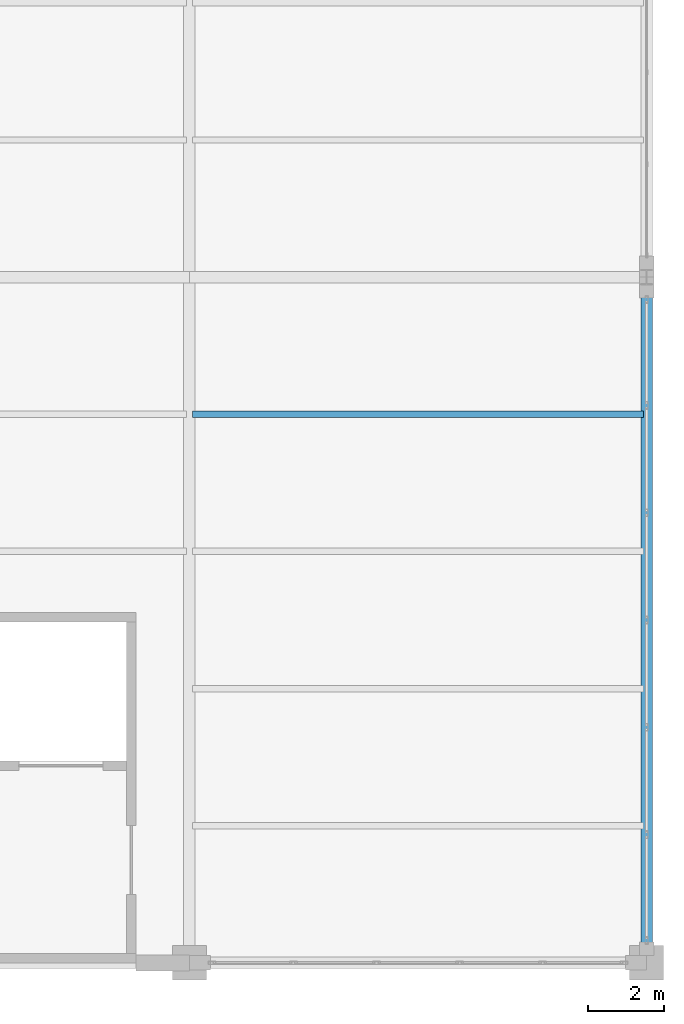
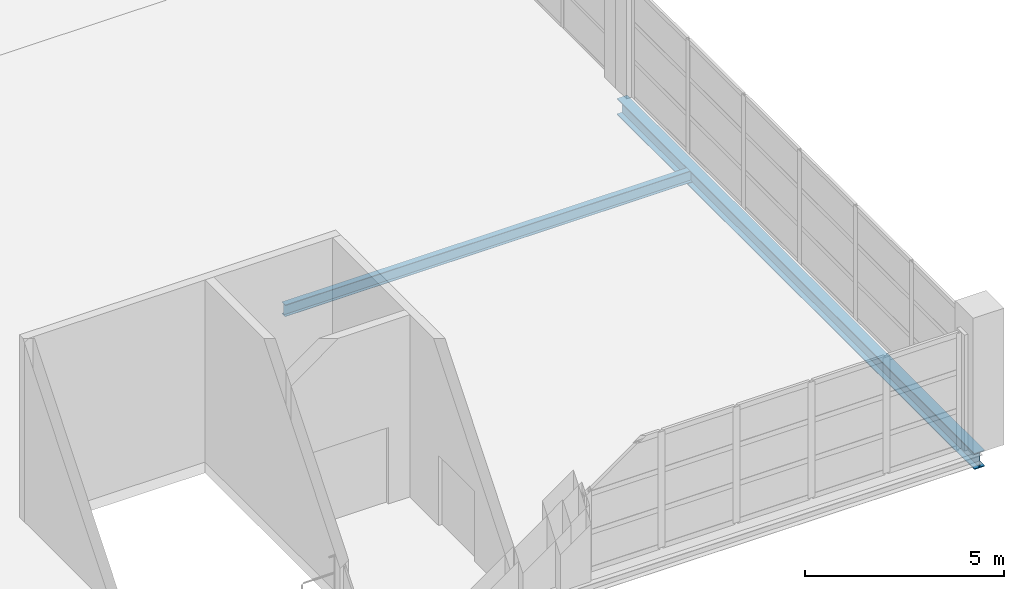
# One storey, part 82 of 158: 2 beams.
"""IFC4 building model written with IfcOpenShell, lengths in metres."""

from ifc_helpers import new_model, si_unit, direction, frame, origin, origin_2d, place, context, subcontext, project, spatial, i_section, extrude, material, material_profile, profile_set, type_object, element, save


model = new_model("IFC4")

# Units and contexts
model_context = context("Model", 3, precision=1e-05, world=origin(), true_north=direction((0.0, 1.0)))
body_context = subcontext(model_context, "Body", "Model", "MODEL_VIEW")
ifc_project = project(units=[si_unit("LENGTHUNIT", "METRE"), si_unit("AREAUNIT", "SQUARE_METRE"), si_unit("VOLUMEUNIT", "CUBIC_METRE"), si_unit("PLANEANGLEUNIT", "RADIAN"), si_unit("MASSUNIT", "GRAM", prefix="KILO")], contexts=[model_context])

# Site, building, storey
site_placement = place(None, origin())
site = spatial("IfcSite", under=ifc_project, at=site_placement, CompositionType="ELEMENT")
building_placement = place(site_placement, origin())
building = spatial("IfcBuilding", under=site, at=building_placement, Name="Zilviju Railside Exhibition Hall", CompositionType="ELEMENT")
storey_placement = place(building_placement, frame((0.0, 0.0, 4.199951171875)))
storey = spatial("IfcBuildingStorey", under=building, at=storey_placement, Name="L02", CompositionType="ELEMENT", Elevation=4.199951171875)

# Beams
ifc_material = material(Name="Steel S355J2", Category="steel")
ifc_material_profile_1 = material_profile(ifc_material, i_section(OverallWidth=0.300048828125, OverallDepth=0.5, WebThickness=0.014404296875, FlangeThickness=0.028076171875, at=origin_2d()), Name="HEB 500")
ifc_profile_set_1 = profile_set([ifc_material_profile_1], Name="Steel S355J2")
beam_type_1 = type_object("IfcBeamType", Name="BM-HEB500", PredefinedType="BEAM", material=ifc_profile_set_1)
beam_1_placement = place(storey_placement, frame((216.0, 0.0, -0.579833984375), z_axis=(0.0, 1.0, 0.0), x_axis=(-1.0, 0.0, 0.0)))
element("IfcBeam", 1, at=beam_1_placement, inside=storey, type_object=beam_type_1, Name="Transverse Girder L02 X=216.0 (0.0..18.0)", PredefinedType="BEAM", context=body_context, shape_type="SweptSolid", body=[
    extrude(i_section(OverallWidth=0.300048828125, OverallDepth=0.5, WebThickness=0.014404296875, FlangeThickness=0.028076171875, at=origin_2d()), origin(), (0.0, 0.0, 1.0), 18.0),
])
ifc_material_profile_2 = material_profile(ifc_material, i_section(OverallWidth=0.169921875, OverallDepth=0.360107421875, WebThickness=0.008056640625, FlangeThickness=0.0126953125, at=origin_2d()), Name="IPE 360")
ifc_profile_set_2 = profile_set([ifc_material_profile_2], Name="Steel S355J2")
beam_type_2 = type_object("IfcBeamType", Name="BM-IPE360", PredefinedType="JOIST", material=ifc_profile_set_2)
beam_2_placement = place(storey_placement, frame((204.080078125, 14.39990234375, -0.510009765625), z_axis=(1.0, 0.0, 0.0), x_axis=(0.0, 1.0, 0.0)))
element("IfcBeam", 2, at=beam_2_placement, inside=storey, type_object=beam_type_2, Name="Composite Floor Joist L02 Y=14.40 (204.0..216.0)", PredefinedType="JOIST", context=body_context, shape_type="SweptSolid", body=[
    extrude(i_section(OverallWidth=0.169921875, OverallDepth=0.360107421875, WebThickness=0.008056640625, FlangeThickness=0.0126953125, at=origin_2d()), origin(), (0.0, 0.0, 1.0), 11.83984375),
])

save(model, "model.ifc")
